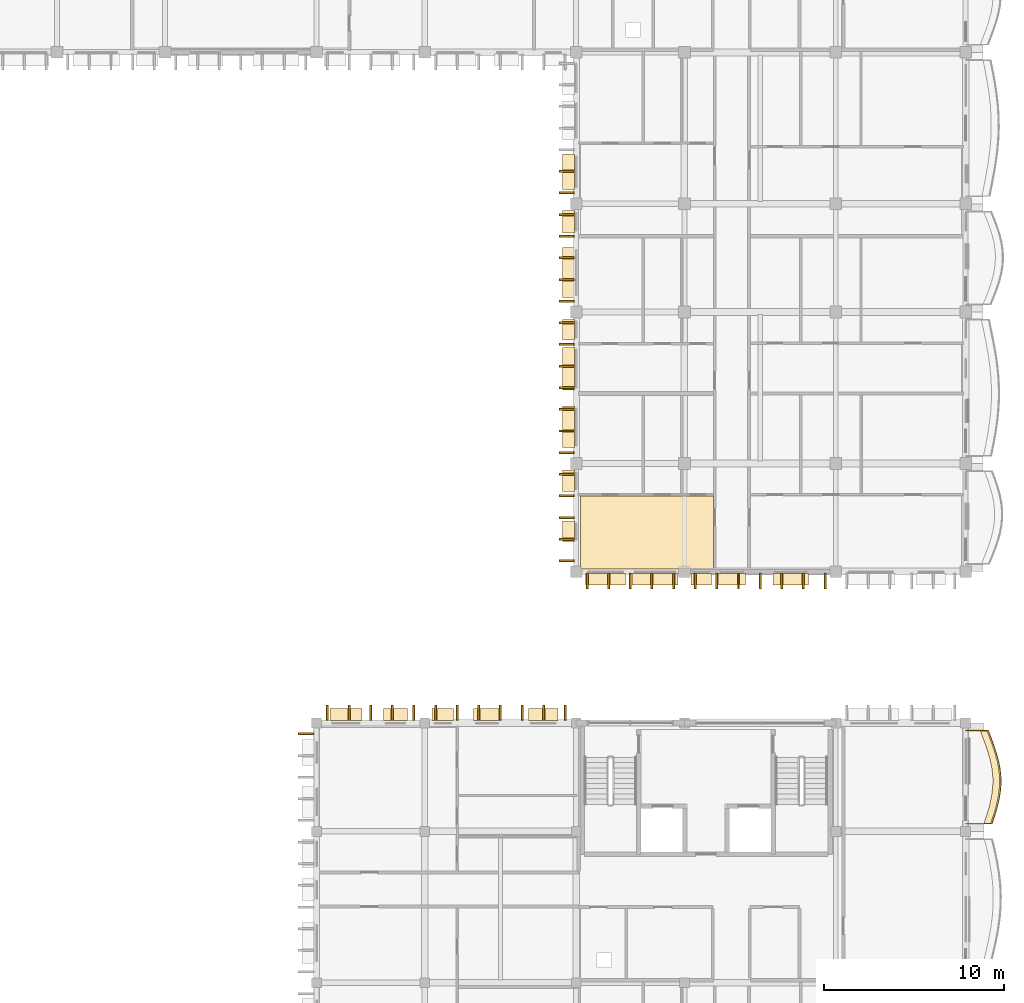
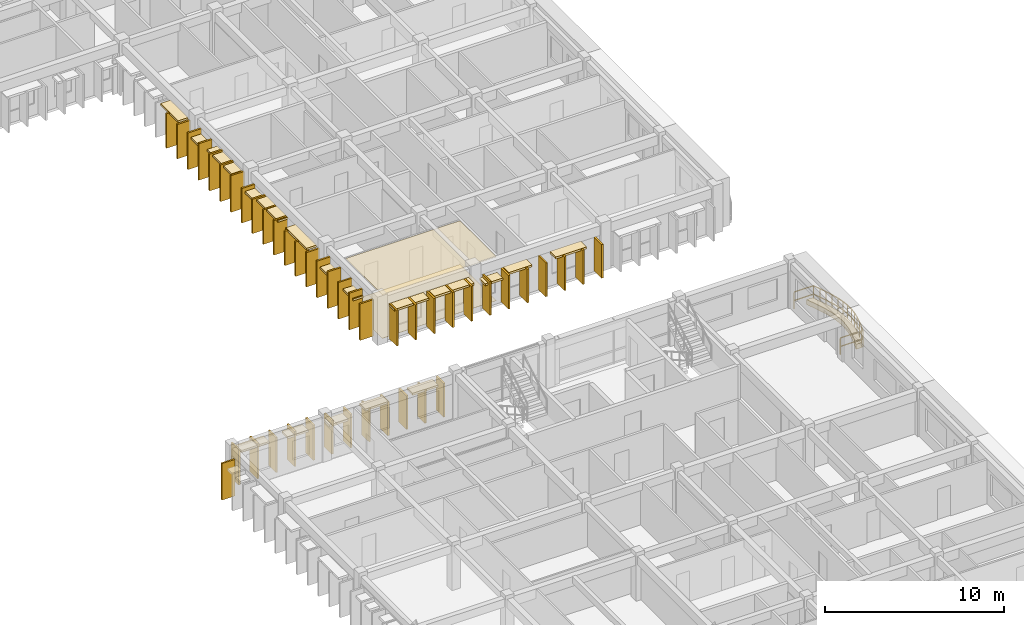
# One storey, part 95 of 101: 65 coverings, 1 railing.
"""IFC4 building model written with IfcOpenShell, lengths in metres."""

from ifc_helpers import new_model, si_unit, direction, frame, origin, origin_2d, place, context, subcontext, project, spatial, polyline, rectangle, outline, extrude, material, layer, layer_set, type_object, element, save


model = new_model("IFC4")

# Units and contexts
model_context = context("Model", 3, precision=1e-05, world=origin(), true_north=direction((0.0, 1.0)))
body_context = subcontext(model_context, "Body", "Model", "MODEL_VIEW")
ifc_project = project(units=[si_unit("LENGTHUNIT", "METRE"), si_unit("AREAUNIT", "SQUARE_METRE"), si_unit("VOLUMEUNIT", "CUBIC_METRE"), si_unit("PLANEANGLEUNIT", "RADIAN"), si_unit("MASSUNIT", "GRAM", prefix="KILO"), si_unit("THERMODYNAMICTEMPERATUREUNIT", "KELVIN")], contexts=[model_context])

# Site, building, storey
site_placement = place(None, origin())
site = spatial("IfcSite", under=ifc_project, at=site_placement, CompositionType="ELEMENT")
building_placement = place(site_placement, origin())
building = spatial("IfcBuilding", under=site, at=building_placement, Name="Thalorik Housing Commons", CompositionType="ELEMENT")
storey_placement = place(building_placement, frame((0.0, 0.0, 8.10009765625)))
storey = spatial("IfcBuildingStorey", under=building, at=storey_placement, Name="L02", CompositionType="ELEMENT", Elevation=8.10009765625)

# Coverings
ifc_material_1 = material(Name="Precast concrete C40/50", Category="concrete")
ifc_layer_1 = layer(ifc_material_1, 0.85009765625, Name="Precast concrete C40/50", Category="concrete")
ifc_layer_set_1 = layer_set([ifc_layer_1], Name="Precast concrete C40/50")
covering_type_1 = type_object("IfcCoveringType", Name="ARC-CLD-FIN-850", PredefinedType="CLADDING", material=ifc_layer_set_1)
for number, where, z_axis, x_axis, name in (
    (1, (151.87255859375, 102.60009765625, 0.0400390625), (0.0, 0.0, 1.0), (0.0, -1.0, 0.0), "L02 Courtyard Precast Vertical Brise-Soleil Fin 1786"),
    (2, (151.87255859375, 101.39990234375, 0.0400390625), (0.0, 0.0, 1.0), (0.0, -1.0, 0.0), "L02 Courtyard Precast Vertical Brise-Soleil Fin 1787"),
):
    element("IfcCovering", number, at=place(storey_placement, frame(where, z_axis=z_axis, x_axis=x_axis)), inside=storey, type_object=covering_type_1, Name=name, PredefinedType="CLADDING", context=body_context, shape_type="SweptSolid", body=[
        extrude(rectangle(XDim=0.110107421875, YDim=0.85009765625, at=origin_2d()), origin(), (0.0, 0.0, 1.0), 2.344970703125),
    ])
for number, where, z_axis, x_axis, name in (
    (3, (151.87255859375, 100.199951171875, 0.039794921875), (0.0, 0.0, 1.0), (0.0, -1.0, 0.0), "L02 Courtyard Precast Vertical Brise-Soleil Fin 1791"),
    (4, (151.87255859375, 99.0, 0.039794921875), (0.0, 0.0, 1.0), (0.0, -1.0, 0.0), "L02 Courtyard Precast Vertical Brise-Soleil Fin 1792"),
    (5, (151.87255859375, 97.800048828125, 0.039794921875), (0.0, 0.0, 1.0), (0.0, -1.0, 0.0), "L02 Courtyard Precast Vertical Brise-Soleil Fin 1793"),
    (6, (151.87255859375, 96.60009765625, 0.039794921875), (0.0, 0.0, 1.0), (0.0, -1.0, 0.0), "L02 Courtyard Precast Vertical Brise-Soleil Fin 1794"),
    (7, (151.87255859375, 95.39990234375, 0.039794921875), (0.0, 0.0, 1.0), (0.0, -1.0, 0.0), "L02 Courtyard Precast Vertical Brise-Soleil Fin 1795"),
):
    element("IfcCovering", number, at=place(storey_placement, frame(where, z_axis=z_axis, x_axis=x_axis)), inside=storey, type_object=covering_type_1, Name=name, PredefinedType="CLADDING", context=body_context, shape_type="SweptSolid", body=[
        extrude(rectangle(XDim=0.110107421875, YDim=0.85009765625, at=origin_2d()), origin(), (0.0, 0.0, 1.0), 2.4951171875),
    ])
for number, where, z_axis, x_axis, name in (
    (8, (151.87255859375, 94.199951171875, 0.0400390625), (0.0, 0.0, 1.0), (0.0, -1.0, 0.0), "L02 Courtyard Precast Vertical Brise-Soleil Fin 1798"),
    (9, (151.87255859375, 93.0, 0.0400390625), (0.0, 0.0, 1.0), (0.0, -1.0, 0.0), "L02 Courtyard Precast Vertical Brise-Soleil Fin 1799"),
    (10, (151.87255859375, 91.800048828125, 0.0400390625), (0.0, 0.0, 1.0), (0.0, -1.0, 0.0), "L02 Courtyard Precast Vertical Brise-Soleil Fin 1800"),
    (11, (151.87255859375, 90.60009765625, 0.0400390625), (0.0, 0.0, 1.0), (0.0, -1.0, 0.0), "L02 Courtyard Precast Vertical Brise-Soleil Fin 1801"),
    (12, (151.87255859375, 89.39990234375, 0.0400390625), (0.0, 0.0, 1.0), (0.0, -1.0, 0.0), "L02 Courtyard Precast Vertical Brise-Soleil Fin 1802"),
    (13, (151.87255859375, 88.199951171875, 0.0400390625), (0.0, 0.0, 1.0), (0.0, -1.0, 0.0), "L02 Courtyard Precast Vertical Brise-Soleil Fin 1803"),
    (14, (151.87255859375, 87.0, 0.0400390625), (0.0, 0.0, 1.0), (0.0, -1.0, 0.0), "L02 Courtyard Precast Vertical Brise-Soleil Fin 1804"),
):
    element("IfcCovering", number, at=place(storey_placement, frame(where, z_axis=z_axis, x_axis=x_axis)), inside=storey, type_object=covering_type_1, Name=name, PredefinedType="CLADDING", context=body_context, shape_type="SweptSolid", body=[
        extrude(rectangle(XDim=0.110107421875, YDim=0.85009765625, at=origin_2d()), origin(), (0.0, 0.0, 1.0), 2.344970703125),
    ])
for number, where, z_axis, x_axis, name in (
    (15, (151.87255859375, 85.800048828125, 0.039794921875), (0.0, 0.0, 1.0), (0.0, -1.0, 0.0), "L02 Courtyard Precast Vertical Brise-Soleil Fin 1808"),
    (16, (151.87255859375, 84.60009765625, 0.039794921875), (0.0, 0.0, 1.0), (0.0, -1.0, 0.0), "L02 Courtyard Precast Vertical Brise-Soleil Fin 1809"),
    (17, (151.87255859375, 83.39990234375, 0.039794921875), (0.0, 0.0, 1.0), (0.0, -1.0, 0.0), "L02 Courtyard Precast Vertical Brise-Soleil Fin 1810"),
    (18, (151.87255859375, 82.199951171875, 0.039794921875), (0.0, 0.0, 1.0), (0.0, -1.0, 0.0), "L02 Courtyard Precast Vertical Brise-Soleil Fin 1811"),
    (19, (151.87255859375, 81.0, 0.039794921875), (0.0, 0.0, 1.0), (0.0, -1.0, 0.0), "L02 Courtyard Precast Vertical Brise-Soleil Fin 1812"),
):
    element("IfcCovering", number, at=place(storey_placement, frame(where, z_axis=z_axis, x_axis=x_axis)), inside=storey, type_object=covering_type_1, Name=name, PredefinedType="CLADDING", context=body_context, shape_type="SweptSolid", body=[
        extrude(rectangle(XDim=0.110107421875, YDim=0.85009765625, at=origin_2d()), origin(), (0.0, 0.0, 1.0), 2.4951171875),
    ])
for number, where, z_axis, x_axis, name in (
    (20, (153.0, 79.87255859375, 0.039794921875), (0.0, 0.0, 1.0), (1.0, 0.0, 0.0), "L02 Courtyard Precast Vertical Brise-Soleil Fin 1815"),
    (21, (154.199951171875, 79.87255859375, 0.039794921875), (0.0, 0.0, 1.0), (1.0, 0.0, 0.0), "L02 Courtyard Precast Vertical Brise-Soleil Fin 1816"),
    (22, (155.39990234375, 79.87255859375, 0.039794921875), (0.0, 0.0, 1.0), (1.0, 0.0, 0.0), "L02 Courtyard Precast Vertical Brise-Soleil Fin 1817"),
    (23, (156.60009765625, 79.87255859375, 0.039794921875), (0.0, 0.0, 1.0), (1.0, 0.0, 0.0), "L02 Courtyard Precast Vertical Brise-Soleil Fin 1818"),
    (24, (157.800048828125, 79.87255859375, 0.039794921875), (0.0, 0.0, 1.0), (1.0, 0.0, 0.0), "L02 Courtyard Precast Vertical Brise-Soleil Fin 1819"),
):
    element("IfcCovering", number, at=place(storey_placement, frame(where, z_axis=z_axis, x_axis=x_axis)), inside=storey, type_object=covering_type_1, Name=name, PredefinedType="CLADDING", context=body_context, shape_type="SweptSolid", body=[
        extrude(rectangle(XDim=0.110107421875, YDim=0.85009765625, at=origin_2d()), origin(), (0.0, 0.0, 1.0), 2.39501953125),
    ])
for number, where, z_axis, x_axis, name in (
    (25, (159.0, 79.87255859375, 0.0400390625), (0.0, 0.0, 1.0), (1.0, 0.0, 0.0), "L02 Courtyard Precast Vertical Brise-Soleil Fin 1822"),
    (26, (160.199951171875, 79.87255859375, 0.0400390625), (0.0, 0.0, 1.0), (1.0, 0.0, 0.0), "L02 Courtyard Precast Vertical Brise-Soleil Fin 1823"),
    (27, (161.39990234375, 79.87255859375, 0.0400390625), (0.0, 0.0, 1.0), (1.0, 0.0, 0.0), "L02 Courtyard Precast Vertical Brise-Soleil Fin 1824"),
    (28, (162.60009765625, 79.87255859375, 0.0400390625), (0.0, 0.0, 1.0), (1.0, 0.0, 0.0), "L02 Courtyard Precast Vertical Brise-Soleil Fin 1825"),
    (29, (163.800048828125, 79.87255859375, 0.0400390625), (0.0, 0.0, 1.0), (1.0, 0.0, 0.0), "L02 Courtyard Precast Vertical Brise-Soleil Fin 1826"),
    (30, (165.0, 79.87255859375, 0.0400390625), (0.0, 0.0, 1.0), (1.0, 0.0, 0.0), "L02 Courtyard Precast Vertical Brise-Soleil Fin 1827"),
    (31, (166.199951171875, 79.87255859375, 0.0400390625), (0.0, 0.0, 1.0), (1.0, 0.0, 0.0), "L02 Courtyard Precast Vertical Brise-Soleil Fin 1828"),
    (32, (151.800048828125, 72.577392578125, 0.0400390625), (0.0, 0.0, 1.0), (-1.0, 0.0, 0.0), "L02 Courtyard Precast Vertical Brise-Soleil Fin 4605"),
    (33, (150.60009765625, 72.577392578125, 0.0400390625), (0.0, 0.0, 1.0), (-1.0, 0.0, 0.0), "L02 Courtyard Precast Vertical Brise-Soleil Fin 4606"),
    (34, (149.39990234375, 72.577392578125, 0.0400390625), (0.0, 0.0, 1.0), (-1.0, 0.0, 0.0), "L02 Courtyard Precast Vertical Brise-Soleil Fin 4607"),
    (35, (148.199951171875, 72.577392578125, 0.0400390625), (0.0, 0.0, 1.0), (-1.0, 0.0, 0.0), "L02 Courtyard Precast Vertical Brise-Soleil Fin 4608"),
    (36, (147.0, 72.577392578125, 0.0400390625), (0.0, 0.0, 1.0), (-1.0, 0.0, 0.0), "L02 Courtyard Precast Vertical Brise-Soleil Fin 4609"),
    (37, (145.800048828125, 72.577392578125, 0.0400390625), (0.0, 0.0, 1.0), (-1.0, 0.0, 0.0), "L02 Courtyard Precast Vertical Brise-Soleil Fin 4610"),
    (38, (144.60009765625, 72.577392578125, 0.0400390625), (0.0, 0.0, 1.0), (-1.0, 0.0, 0.0), "L02 Courtyard Precast Vertical Brise-Soleil Fin 4611"),
):
    element("IfcCovering", number, at=place(storey_placement, frame(where, z_axis=z_axis, x_axis=x_axis)), inside=storey, type_object=covering_type_1, Name=name, PredefinedType="CLADDING", context=body_context, shape_type="SweptSolid", body=[
        extrude(rectangle(XDim=0.110107421875, YDim=0.85009765625, at=origin_2d()), origin(), (0.0, 0.0, 1.0), 2.294921875),
    ])
for number, where, z_axis, x_axis, name in (
    (39, (143.39990234375, 72.577392578125, 0.039794921875), (0.0, 0.0, 1.0), (-1.0, 0.0, 0.0), "L02 Courtyard Precast Vertical Brise-Soleil Fin 4615"),
    (40, (142.199951171875, 72.577392578125, 0.039794921875), (0.0, 0.0, 1.0), (-1.0, 0.0, 0.0), "L02 Courtyard Precast Vertical Brise-Soleil Fin 4616"),
    (41, (141.0, 72.577392578125, 0.039794921875), (0.0, 0.0, 1.0), (-1.0, 0.0, 0.0), "L02 Courtyard Precast Vertical Brise-Soleil Fin 4617"),
    (42, (139.800048828125, 72.577392578125, 0.039794921875), (0.0, 0.0, 1.0), (-1.0, 0.0, 0.0), "L02 Courtyard Precast Vertical Brise-Soleil Fin 4618"),
    (43, (138.60009765625, 72.577392578125, 0.039794921875), (0.0, 0.0, 1.0), (-1.0, 0.0, 0.0), "L02 Courtyard Precast Vertical Brise-Soleil Fin 4619"),
):
    element("IfcCovering", number, at=place(storey_placement, frame(where, z_axis=z_axis, x_axis=x_axis)), inside=storey, type_object=covering_type_1, Name=name, PredefinedType="CLADDING", context=body_context, shape_type="SweptSolid", body=[
        extrude(rectangle(XDim=0.110107421875, YDim=0.85009765625, at=origin_2d()), origin(), (0.0, 0.0, 1.0), 2.39501953125),
    ])
covering_1_placement = place(storey_placement, frame((137.422607421875, 71.39990234375, 0.039794921875), z_axis=(0.0, 0.0, 1.0), x_axis=(0.0, -1.0, 0.0)))
element("IfcCovering", 44, at=covering_1_placement, inside=storey, type_object=covering_type_1, Name="L02 Courtyard Precast Vertical Brise-Soleil Fin 4622", PredefinedType="CLADDING", context=body_context, shape_type="SweptSolid", body=[
    extrude(rectangle(XDim=0.110107421875, YDim=0.85009765625, at=origin_2d()), origin(), (0.0, 0.0, 1.0), 2.4951171875),
])
ifc_layer_2 = layer(ifc_material_1, 0.64990234375, Name="Precast concrete C40/50", Category="concrete")
ifc_layer_set_2 = layer_set([ifc_layer_2], Name="Precast concrete C40/50")
covering_type_2 = type_object("IfcCoveringType", Name="ARC-CLD-HOOD-650", PredefinedType="CLADDING", material=ifc_layer_set_2)
covering_2_placement = place(storey_placement, frame((151.972412109375, 102.580078125, 2.27490234375), z_axis=(0.0, 0.0, 1.0), x_axis=(0.0, -1.0, 0.0)))
element("IfcCovering", 45, at=covering_2_placement, inside=storey, type_object=covering_type_2, Name="L02 Courtyard Precast Window Sun-Hood 1790", PredefinedType="CLADDING", context=body_context, shape_type="SweptSolid", body=[
    extrude(rectangle(XDim=1.9599609375, YDim=0.64990234375, at=origin_2d()), origin(), (0.0, 0.0, 1.0), 0.139892578125),
])
covering_3_placement = place(storey_placement, frame((151.972412109375, 99.804931640625, 2.0400390625), z_axis=(0.0, 0.0, 1.0), x_axis=(0.0, -1.0, 0.0)))
element("IfcCovering", 46, at=covering_3_placement, inside=storey, type_object=covering_type_2, Name="L02 Courtyard Precast Window Sun-Hood 1796", PredefinedType="CLADDING", context=body_context, shape_type="SweptSolid", body=[
    extrude(rectangle(XDim=1.239990234375, YDim=0.64990234375, at=origin_2d()), origin(), (0.0, 0.0, 1.0), 0.139892578125),
])
covering_4_placement = place(storey_placement, frame((151.972412109375, 96.9951171875, 2.2900390625), z_axis=(0.0, 0.0, 1.0), x_axis=(0.0, -1.0, 0.0)))
element("IfcCovering", 47, at=covering_4_placement, inside=storey, type_object=covering_type_2, Name="L02 Courtyard Precast Window Sun-Hood 1797", PredefinedType="CLADDING", context=body_context, shape_type="SweptSolid", body=[
    extrude(rectangle(XDim=2.760009765625, YDim=0.64990234375, at=origin_2d()), origin(), (0.0, 0.0, 1.0), 0.139892578125),
])
covering_5_placement = place(storey_placement, frame((151.972412109375, 93.824951171875, 1.98974609375), z_axis=(0.0, 0.0, 1.0), x_axis=(0.0, -1.0, 0.0)))
element("IfcCovering", 48, at=covering_5_placement, inside=storey, type_object=covering_type_2, Name="L02 Courtyard Precast Window Sun-Hood 1805", PredefinedType="CLADDING", context=body_context, shape_type="SweptSolid", body=[
    extrude(rectangle(XDim=1.139892578125, YDim=0.64990234375, at=origin_2d()), origin(), (0.0, 0.0, 1.0), 0.139892578125),
])
covering_6_placement = place(storey_placement, frame((151.972412109375, 91.659912109375, 2.22998046875), z_axis=(0.0, 0.0, 1.0), x_axis=(0.0, -1.0, 0.0)))
element("IfcCovering", 49, at=covering_6_placement, inside=storey, type_object=covering_type_2, Name="L02 Courtyard Precast Window Sun-Hood 1806", PredefinedType="CLADDING", context=body_context, shape_type="SweptSolid", body=[
    extrude(rectangle(XDim=2.360107421875, YDim=0.64990234375, at=origin_2d()), origin(), (0.0, 0.0, 1.0), 0.139892578125),
])
covering_7_placement = place(storey_placement, frame((151.972412109375, 88.43505859375, 2.27490234375), z_axis=(0.0, 0.0, 1.0), x_axis=(0.0, -1.0, 0.0)))
element("IfcCovering", 50, at=covering_7_placement, inside=storey, type_object=covering_type_2, Name="L02 Courtyard Precast Window Sun-Hood 1807", PredefinedType="CLADDING", context=body_context, shape_type="SweptSolid", body=[
    extrude(rectangle(XDim=2.320068359375, YDim=0.64990234375, at=origin_2d()), origin(), (0.0, 0.0, 1.0), 0.139892578125),
])
covering_8_placement = place(storey_placement, frame((151.972412109375, 85.43994140625, 1.93994140625), z_axis=(0.0, 0.0, 1.0), x_axis=(0.0, -1.0, 0.0)))
element("IfcCovering", 51, at=covering_8_placement, inside=storey, type_object=covering_type_2, Name="L02 Courtyard Precast Window Sun-Hood 1813", PredefinedType="CLADDING", context=body_context, shape_type="SweptSolid", body=[
    extrude(rectangle(XDim=1.18994140625, YDim=0.64990234375, at=origin_2d()), origin(), (0.0, 0.0, 1.0), 0.139892578125),
])
covering_9_placement = place(storey_placement, frame((151.972412109375, 82.6298828125, 1.98974609375), z_axis=(0.0, 0.0, 1.0), x_axis=(0.0, -1.0, 0.0)))
element("IfcCovering", 52, at=covering_9_placement, inside=storey, type_object=covering_type_2, Name="L02 Courtyard Precast Window Sun-Hood 1814", PredefinedType="CLADDING", context=body_context, shape_type="SweptSolid", body=[
    extrude(rectangle(XDim=1.139892578125, YDim=0.64990234375, at=origin_2d()), origin(), (0.0, 0.0, 1.0), 0.139892578125),
])
covering_10_placement = place(storey_placement, frame((154.030029296875, 79.972412109375, 2.2900390625), z_axis=(0.0, 0.0, 1.0), x_axis=(1.0, 0.0, 0.0)))
element("IfcCovering", 53, at=covering_10_placement, inside=storey, type_object=covering_type_2, Name="L02 Courtyard Precast Window Sun-Hood 1820", PredefinedType="CLADDING", context=body_context, shape_type="SweptSolid", body=[
    extrude(rectangle(XDim=2.219970703125, YDim=0.64990234375, at=origin_2d()), origin(), (0.0, 0.0, 1.0), 0.139892578125),
])
covering_11_placement = place(storey_placement, frame((156.77001953125, 79.972412109375, 2.2900390625), z_axis=(0.0, 0.0, 1.0), x_axis=(1.0, 0.0, 0.0)))
element("IfcCovering", 54, at=covering_11_placement, inside=storey, type_object=covering_type_2, Name="L02 Courtyard Precast Window Sun-Hood 1821", PredefinedType="CLADDING", context=body_context, shape_type="SweptSolid", body=[
    extrude(rectangle(XDim=2.56005859375, YDim=0.64990234375, at=origin_2d()), origin(), (0.0, 0.0, 1.0), 0.139892578125),
])
covering_12_placement = place(storey_placement, frame((159.3349609375, 79.972412109375, 1.98974609375), z_axis=(0.0, 0.0, 1.0), x_axis=(1.0, 0.0, 0.0)))
element("IfcCovering", 55, at=covering_12_placement, inside=storey, type_object=covering_type_2, Name="L02 Courtyard Precast Window Sun-Hood 1829", PredefinedType="CLADDING", context=body_context, shape_type="SweptSolid", body=[
    extrude(rectangle(XDim=1.139892578125, YDim=0.64990234375, at=origin_2d()), origin(), (0.0, 0.0, 1.0), 0.139892578125),
])
covering_13_placement = place(storey_placement, frame((161.030029296875, 79.972412109375, 2.22509765625), z_axis=(0.0, 0.0, 1.0), x_axis=(1.0, 0.0, 0.0)))
element("IfcCovering", 56, at=covering_13_placement, inside=storey, type_object=covering_type_2, Name="L02 Courtyard Precast Window Sun-Hood 1830", PredefinedType="CLADDING", context=body_context, shape_type="SweptSolid", body=[
    extrude(rectangle(XDim=1.489990234375, YDim=0.64990234375, at=origin_2d()), origin(), (0.0, 0.0, 1.0), 0.139892578125),
])
covering_14_placement = place(storey_placement, frame((164.294921875, 79.972412109375, 2.22509765625), z_axis=(0.0, 0.0, 1.0), x_axis=(1.0, 0.0, 0.0)))
element("IfcCovering", 57, at=covering_14_placement, inside=storey, type_object=covering_type_2, Name="L02 Courtyard Precast Window Sun-Hood 1831", PredefinedType="CLADDING", context=body_context, shape_type="SweptSolid", body=[
    extrude(rectangle(XDim=1.989990234375, YDim=0.64990234375, at=origin_2d()), origin(), (0.0, 0.0, 1.0), 0.139892578125),
])
covering_15_placement = place(storey_placement, frame((150.5751953125, 72.4775390625, 2.22509765625), z_axis=(0.0, 0.0, 1.0), x_axis=(-1.0, 0.0, 0.0)))
element("IfcCovering", 58, at=covering_15_placement, inside=storey, type_object=covering_type_2, Name="L02 Courtyard Precast Window Sun-Hood 4612", PredefinedType="CLADDING", context=body_context, shape_type="SweptSolid", body=[
    extrude(rectangle(XDim=1.639892578125, YDim=0.64990234375, at=origin_2d()), origin(), (0.0, 0.0, 1.0), 0.139892578125),
])
covering_16_placement = place(storey_placement, frame((147.4453125, 72.4775390625, 2.22509765625), z_axis=(0.0, 0.0, 1.0), x_axis=(-1.0, 0.0, 0.0)))
element("IfcCovering", 59, at=covering_16_placement, inside=storey, type_object=covering_type_2, Name="L02 Courtyard Precast Window Sun-Hood 4613", PredefinedType="CLADDING", context=body_context, shape_type="SweptSolid", body=[
    extrude(rectangle(XDim=1.489990234375, YDim=0.64990234375, at=origin_2d()), origin(), (0.0, 0.0, 1.0), 0.139892578125),
])
covering_17_placement = place(storey_placement, frame((145.000244140625, 72.4775390625, 1.93994140625), z_axis=(0.0, 0.0, 1.0), x_axis=(-1.0, 0.0, 0.0)))
element("IfcCovering", 60, at=covering_17_placement, inside=storey, type_object=covering_type_2, Name="L02 Courtyard Precast Window Sun-Hood 4614", PredefinedType="CLADDING", context=body_context, shape_type="SweptSolid", body=[
    extrude(rectangle(XDim=1.18994140625, YDim=0.64990234375, at=origin_2d()), origin(), (0.0, 0.0, 1.0), 0.139892578125),
])
covering_18_placement = place(storey_placement, frame((142.3701171875, 72.4775390625, 2.08984375), z_axis=(0.0, 0.0, 1.0), x_axis=(-1.0, 0.0, 0.0)))
element("IfcCovering", 61, at=covering_18_placement, inside=storey, type_object=covering_type_2, Name="L02 Courtyard Precast Window Sun-Hood 4620", PredefinedType="CLADDING", context=body_context, shape_type="SweptSolid", body=[
    extrude(rectangle(XDim=1.340087890625, YDim=0.64990234375, at=origin_2d()), origin(), (0.0, 0.0, 1.0), 0.139892578125),
])
covering_19_placement = place(storey_placement, frame((139.6298828125, 72.4775390625, 2.18994140625), z_axis=(0.0, 0.0, 1.0), x_axis=(-1.0, 0.0, 0.0)))
element("IfcCovering", 62, at=covering_19_placement, inside=storey, type_object=covering_type_2, Name="L02 Courtyard Precast Window Sun-Hood 4621", PredefinedType="CLADDING", context=body_context, shape_type="SweptSolid", body=[
    extrude(rectangle(XDim=1.7900390625, YDim=0.64990234375, at=origin_2d()), origin(), (0.0, 0.0, 1.0), 0.139892578125),
])
ifc_material_2 = material(Name="Slatted timber acoustic hall baffle ceiling", Category="wood")
ifc_layer_3 = layer(ifc_material_2, 0.02197265625, Name="Slatted timber acoustic hall baffle ceiling", Category="wood")
ifc_layer_set_3 = layer_set([ifc_layer_3], Name="Slatted timber acoustic hall baffle ceiling")
covering_type_3 = type_object("IfcCoveringType", Name="ARC-COV-CEIL-03", PredefinedType="CEILING", material=ifc_layer_set_3)
covering_20_placement = place(storey_placement, frame((0.0, 0.0, 2.977783203125)))
element("IfcCovering", 63, at=covering_20_placement, inside=storey, type_object=covering_type_3, Name="L02 Living Dining Room Suspended Ceiling", PredefinedType="CEILING", context=body_context, shape_type="SweptSolid", body=[
    extrude(outline(polyline([(160.0, 84.60009765625), (152.639892578125, 84.60009765625), (152.639892578125, 80.5400390625), (160.0, 80.5400390625), (160.0, 84.60009765625)])), origin(), (0.0, 0.0, 1.0), 0.022216796875),
])
ifc_material_3 = material(Name="Cushioned natural linoleum nursery playroom flooring")
ifc_layer_4 = layer(ifc_material_3, 0.02001953125, Name="Cushioned natural linoleum nursery playroom flooring")
ifc_layer_set_4 = layer_set([ifc_layer_4], Name="Cushioned natural linoleum nursery playroom flooring")
covering_type_4 = type_object("IfcCoveringType", Name="ARC-COV-FLR-03", PredefinedType="FLOORING", material=ifc_layer_set_4)
covering_21_placement = place(storey_placement, origin())
element("IfcCovering", 64, at=covering_21_placement, inside=storey, type_object=covering_type_4, Name="L02 Living Dining Room Flooring", PredefinedType="FLOORING", context=body_context, shape_type="SweptSolid", body=[
    extrude(outline(polyline([(160.0, 84.60009765625), (152.639892578125, 84.60009765625), (152.639892578125, 80.5400390625), (160.0, 80.5400390625), (160.0, 84.60009765625)])), origin(), (0.0, 0.0, 1.0), 0.02001953125),
])
ifc_material_4 = material(Name="Planted vegetated substrate and terracotta trough", Category="masonry")
ifc_layer_5 = layer(ifc_material_4, 0.340087890625, Name="Planted vegetated substrate and terracotta trough", Category="masonry")
ifc_layer_set_5 = layer_set([ifc_layer_5], Name="Planted vegetated substrate and terracotta trough")
covering_type_5 = type_object("IfcCoveringType", Name="ARC-COV-PLANTER", PredefinedType="USERDEFINED", material=ifc_layer_set_5)
covering_22_placement = place(storey_placement, origin())
element("IfcCovering", 65, at=covering_22_placement, inside=storey, type_object=covering_type_5, Name="L02 Balcony Slab-Edge Planted Trough 5649", ObjectType="PLANTER", PredefinedType="USERDEFINED", context=body_context, shape_type="SweptSolid", body=[
    extrude(outline(polyline([(175.389404296875, 66.419921875), (175.531982421875, 66.85009765625), (175.660888671875, 67.280029296875), (175.76708984375, 67.7099609375), (175.842529296875, 68.139892578125), (175.88134765625, 68.570068359375), (175.880126953125, 69.0), (175.83837890625, 69.429931640625), (175.75830078125, 69.860107421875), (175.644287109375, 70.2900390625), (175.504150390625, 70.719970703125), (175.346435546875, 71.14990234375), (175.181884765625, 71.580078125), (174.802001953125, 71.580078125), (174.966552734375, 71.14990234375), (175.1240234375, 70.719970703125), (175.264404296875, 70.2900390625), (175.378173828125, 69.860107421875), (175.45849609375, 69.429931640625), (175.500244140625, 69.0), (175.501220703125, 68.570068359375), (175.46240234375, 68.139892578125), (175.386962890625, 67.7099609375), (175.281005859375, 67.280029296875), (175.15185546875, 66.85009765625), (175.009521484375, 66.419921875), (175.389404296875, 66.419921875)])), origin(), (0.0, 0.0, 1.0), 0.33984375),
])

# Railing
ifc_material_5 = material(Name="Steel S355", Category="steel")
railing_type = type_object("IfcRailingType", Name="ARC-RL-BAL-115", PredefinedType="BALUSTRADE", material=ifc_material_5)
railing_placement = place(storey_placement, frame((174.0, 66.419921875, 0.0)))
element("IfcRailing", 66, at=railing_placement, inside=storey, type_object=railing_type, Name="L02 Cushion Balcony Guardrail 333", PredefinedType="BALUSTRADE", context=body_context, shape_type="SweptSolid", body=[
    extrude(rectangle(XDim=0.050048828125, YDim=0.050048828125, at=origin_2d()), frame((0.0, 0.0, 1.125), z_axis=(1.0, 0.0, 0.0), x_axis=(0.0, 1.0, 0.0)), (0.0, 0.0, 1.0), 1.45947265625),
    extrude(rectangle(XDim=0.050048828125, YDim=0.050048828125, at=origin_2d()), frame((0.0, 0.0, 0.5498046875), z_axis=(1.0, 0.0, 0.0), x_axis=(0.0, 1.0, 0.0)), (0.0, 0.0, 1.0), 1.45947265625),
    extrude(rectangle(XDim=0.050048828125, YDim=0.050048828125, at=origin_2d()), frame((1.45947265625, 0.0, 1.125), z_axis=(0.314125635236, 0.949381422447, 0.0), x_axis=(-0.949381422447, 0.314125635236, 0.0)), (0.0, 0.0, 1.0), 0.453125),
    extrude(rectangle(XDim=0.050048828125, YDim=0.050048828125, at=origin_2d()), frame((1.45947265625, 0.0, 0.5498046875), z_axis=(0.314125635236, 0.949381422447, 0.0), x_axis=(-0.949381422447, 0.314125635236, 0.0)), (0.0, 0.0, 1.0), 0.453125),
    extrude(rectangle(XDim=0.050048828125, YDim=0.050048828125, at=origin_2d()), frame((1.601806640625, 0.43017578125, 1.125), z_axis=(0.287697128512, 0.957721442929, 0.0), x_axis=(-0.957721442929, 0.287697128512, 0.0)), (0.0, 0.0, 1.0), 0.448974609375),
    extrude(rectangle(XDim=0.050048828125, YDim=0.050048828125, at=origin_2d()), frame((1.601806640625, 0.43017578125, 0.5498046875), z_axis=(0.287697128512, 0.957721442929, 0.0), x_axis=(-0.957721442929, 0.287697128512, 0.0)), (0.0, 0.0, 1.0), 0.448974609375),
    extrude(rectangle(XDim=0.050048828125, YDim=0.050048828125, at=origin_2d()), frame((1.73095703125, 0.860107421875, 1.125), z_axis=(0.239290965734, 0.97094790474, 0.0), x_axis=(-0.97094790474, 0.239290965734, 0.0)), (0.0, 0.0, 1.0), 0.44287109375),
    extrude(rectangle(XDim=0.050048828125, YDim=0.050048828125, at=origin_2d()), frame((1.73095703125, 0.860107421875, 0.5498046875), z_axis=(0.239290965734, 0.97094790474, 0.0), x_axis=(-0.97094790474, 0.239290965734, 0.0)), (0.0, 0.0, 1.0), 0.44287109375),
    extrude(rectangle(XDim=0.050048828125, YDim=0.050048828125, at=origin_2d()), frame((1.8369140625, 1.2900390625, 1.125), z_axis=(0.173370565358, 0.984856663209, 0.0), x_axis=(-0.984856663209, 0.173370565358, 0.0)), (0.0, 0.0, 1.0), 0.4365234375),
    extrude(rectangle(XDim=0.050048828125, YDim=0.050048828125, at=origin_2d()), frame((1.8369140625, 1.2900390625, 0.5498046875), z_axis=(0.173370565358, 0.984856663209, 0.0), x_axis=(-0.984856663209, 0.173370565358, 0.0)), (0.0, 0.0, 1.0), 0.4365234375),
    extrude(rectangle(XDim=0.050048828125, YDim=0.050048828125, at=origin_2d()), frame((1.91259765625, 1.719970703125, 1.125), z_axis=(0.089873190374, 0.995953216598, 0.0), x_axis=(-0.995953216598, 0.089873190374, 0.0)), (0.0, 0.0, 1.0), 0.431884765625),
    extrude(rectangle(XDim=0.050048828125, YDim=0.050048828125, at=origin_2d()), frame((1.91259765625, 1.719970703125, 0.5498046875), z_axis=(0.089873190374, 0.995953216598, 0.0), x_axis=(-0.995953216598, 0.089873190374, 0.0)), (0.0, 0.0, 1.0), 0.431884765625),
    extrude(rectangle(XDim=0.050048828125, YDim=0.050048828125, at=origin_2d()), frame((1.951416015625, 2.150146484375, 1.125), z_axis=(-0.00283928441, 0.999995969224, 0.0), x_axis=(-0.999995969224, -0.00283928441, 0.0)), (0.0, 0.0, 1.0), 0.429931640625),
    extrude(rectangle(XDim=0.050048828125, YDim=0.050048828125, at=origin_2d()), frame((1.951416015625, 2.150146484375, 0.5498046875), z_axis=(-0.00283928441, 0.999995969224, 0.0), x_axis=(-0.999995969224, -0.00283928441, 0.0)), (0.0, 0.0, 1.0), 0.429931640625),
    extrude(rectangle(XDim=0.050048828125, YDim=0.050048828125, at=origin_2d()), frame((1.9501953125, 2.580078125, 1.125), z_axis=(-0.096649325814, 0.995318495668, 0.0), x_axis=(-0.995318495668, -0.096649325814, 0.0)), (0.0, 0.0, 1.0), 0.431884765625),
    extrude(rectangle(XDim=0.050048828125, YDim=0.050048828125, at=origin_2d()), frame((1.9501953125, 2.580078125, 0.5498046875), z_axis=(-0.096649325814, 0.995318495668, 0.0), x_axis=(-0.995318495668, -0.096649325814, 0.0)), (0.0, 0.0, 1.0), 0.431884765625),
    extrude(rectangle(XDim=0.050048828125, YDim=0.050048828125, at=origin_2d()), frame((1.908447265625, 3.010009765625, 1.125), z_axis=(-0.18354742979, 0.983010854985, 0.0), x_axis=(-0.983010854985, -0.18354742979, 0.0)), (0.0, 0.0, 1.0), 0.4375),
    extrude(rectangle(XDim=0.050048828125, YDim=0.050048828125, at=origin_2d()), frame((1.908447265625, 3.010009765625, 0.5498046875), z_axis=(-0.18354742979, 0.983010854985, 0.0), x_axis=(-0.983010854985, -0.18354742979, 0.0)), (0.0, 0.0, 1.0), 0.4375),
    extrude(rectangle(XDim=0.050048828125, YDim=0.050048828125, at=origin_2d()), frame((1.828125, 3.440185546875, 1.125), z_axis=(-0.25581711585, 0.966725195305, 0.0), x_axis=(-0.966725195305, -0.25581711585, 0.0)), (0.0, 0.0, 1.0), 0.44482421875),
    extrude(rectangle(XDim=0.050048828125, YDim=0.050048828125, at=origin_2d()), frame((1.828125, 3.440185546875, 0.5498046875), z_axis=(-0.25581711585, 0.966725195305, 0.0), x_axis=(-0.966725195305, -0.25581711585, 0.0)), (0.0, 0.0, 1.0), 0.44482421875),
    extrude(rectangle(XDim=0.050048828125, YDim=0.050048828125, at=origin_2d()), frame((1.71435546875, 3.8701171875, 1.125), z_axis=(-0.30990389927, 0.950767886088, 0.0), x_axis=(-0.950767886088, -0.30990389927, 0.0)), (0.0, 0.0, 1.0), 0.4521484375),
    extrude(rectangle(XDim=0.050048828125, YDim=0.050048828125, at=origin_2d()), frame((1.71435546875, 3.8701171875, 0.5498046875), z_axis=(-0.30990389927, 0.950767886088, 0.0), x_axis=(-0.950767886088, -0.30990389927, 0.0)), (0.0, 0.0, 1.0), 0.4521484375),
    extrude(rectangle(XDim=0.050048828125, YDim=0.050048828125, at=origin_2d()), frame((1.57421875, 4.300048828125, 1.125), z_axis=(-0.344395627104, 0.938824611965, 0.0), x_axis=(-0.938824611965, -0.344395627104, 0.0)), (0.0, 0.0, 1.0), 0.4580078125),
    extrude(rectangle(XDim=0.050048828125, YDim=0.050048828125, at=origin_2d()), frame((1.57421875, 4.300048828125, 0.5498046875), z_axis=(-0.344395627104, 0.938824611965, 0.0), x_axis=(-0.938824611965, -0.344395627104, 0.0)), (0.0, 0.0, 1.0), 0.4580078125),
    extrude(rectangle(XDim=0.050048828125, YDim=0.050048828125, at=origin_2d()), frame((1.41650390625, 4.72998046875, 1.125), z_axis=(-0.357273482842, 0.933999817162, 0.0), x_axis=(-0.933999817162, -0.357273482842, 0.0)), (0.0, 0.0, 1.0), 0.460693359375),
    extrude(rectangle(XDim=0.050048828125, YDim=0.050048828125, at=origin_2d()), frame((1.41650390625, 4.72998046875, 0.5498046875), z_axis=(-0.357273482842, 0.933999817162, 0.0), x_axis=(-0.933999817162, -0.357273482842, 0.0)), (0.0, 0.0, 1.0), 0.460693359375),
    extrude(rectangle(XDim=0.050048828125, YDim=0.050048828125, at=origin_2d()), frame((1.251953125, 5.16015625, 1.125), z_axis=(-1.0, 0.0, 0.0), x_axis=(0.0, -1.0, 0.0)), (0.0, 0.0, 1.0), 1.251953125),
    extrude(rectangle(XDim=0.050048828125, YDim=0.050048828125, at=origin_2d()), frame((1.251953125, 5.16015625, 0.5498046875), z_axis=(-1.0, 0.0, 0.0), x_axis=(0.0, -1.0, 0.0)), (0.0, 0.0, 1.0), 1.251953125),
    extrude(rectangle(XDim=0.0419921875, YDim=0.0419921875, at=origin_2d()), origin(), (0.0, 0.0, 1.0), 1.099853515625),
    extrude(rectangle(XDim=0.0419921875, YDim=0.0419921875, at=origin_2d()), frame((1.45947265625, 0.0, 0.0)), (0.0, 0.0, 1.0), 1.099853515625),
    extrude(rectangle(XDim=0.0419921875, YDim=0.0419921875, at=origin_2d()), frame((1.601806640625, 0.43017578125, 0.0)), (0.0, 0.0, 1.0), 1.099853515625),
    extrude(rectangle(XDim=0.0419921875, YDim=0.0419921875, at=origin_2d()), frame((1.73095703125, 0.860107421875, 0.0)), (0.0, 0.0, 1.0), 1.099853515625),
    extrude(rectangle(XDim=0.0419921875, YDim=0.0419921875, at=origin_2d()), frame((1.8369140625, 1.2900390625, 0.0)), (0.0, 0.0, 1.0), 1.099853515625),
    extrude(rectangle(XDim=0.0419921875, YDim=0.0419921875, at=origin_2d()), frame((1.91259765625, 1.719970703125, 0.0)), (0.0, 0.0, 1.0), 1.099853515625),
    extrude(rectangle(XDim=0.0419921875, YDim=0.0419921875, at=origin_2d()), frame((1.951416015625, 2.150146484375, 0.0)), (0.0, 0.0, 1.0), 1.099853515625),
    extrude(rectangle(XDim=0.0419921875, YDim=0.0419921875, at=origin_2d()), frame((1.9501953125, 2.580078125, 0.0)), (0.0, 0.0, 1.0), 1.099853515625),
    extrude(rectangle(XDim=0.0419921875, YDim=0.0419921875, at=origin_2d()), frame((1.908447265625, 3.010009765625, 0.0)), (0.0, 0.0, 1.0), 1.099853515625),
    extrude(rectangle(XDim=0.0419921875, YDim=0.0419921875, at=origin_2d()), frame((1.828125, 3.440185546875, 0.0)), (0.0, 0.0, 1.0), 1.099853515625),
    extrude(rectangle(XDim=0.0419921875, YDim=0.0419921875, at=origin_2d()), frame((1.71435546875, 3.8701171875, 0.0)), (0.0, 0.0, 1.0), 1.099853515625),
    extrude(rectangle(XDim=0.0419921875, YDim=0.0419921875, at=origin_2d()), frame((1.57421875, 4.300048828125, 0.0)), (0.0, 0.0, 1.0), 1.099853515625),
    extrude(rectangle(XDim=0.0419921875, YDim=0.0419921875, at=origin_2d()), frame((1.41650390625, 4.72998046875, 0.0)), (0.0, 0.0, 1.0), 1.099853515625),
    extrude(rectangle(XDim=0.0419921875, YDim=0.0419921875, at=origin_2d()), frame((1.251953125, 5.16015625, 0.0)), (0.0, 0.0, 1.0), 1.099853515625),
    extrude(rectangle(XDim=0.0419921875, YDim=0.0419921875, at=origin_2d()), frame((0.0, 5.16015625, 0.0)), (0.0, 0.0, 1.0), 1.099853515625),
])

save(model, "model.ifc")
